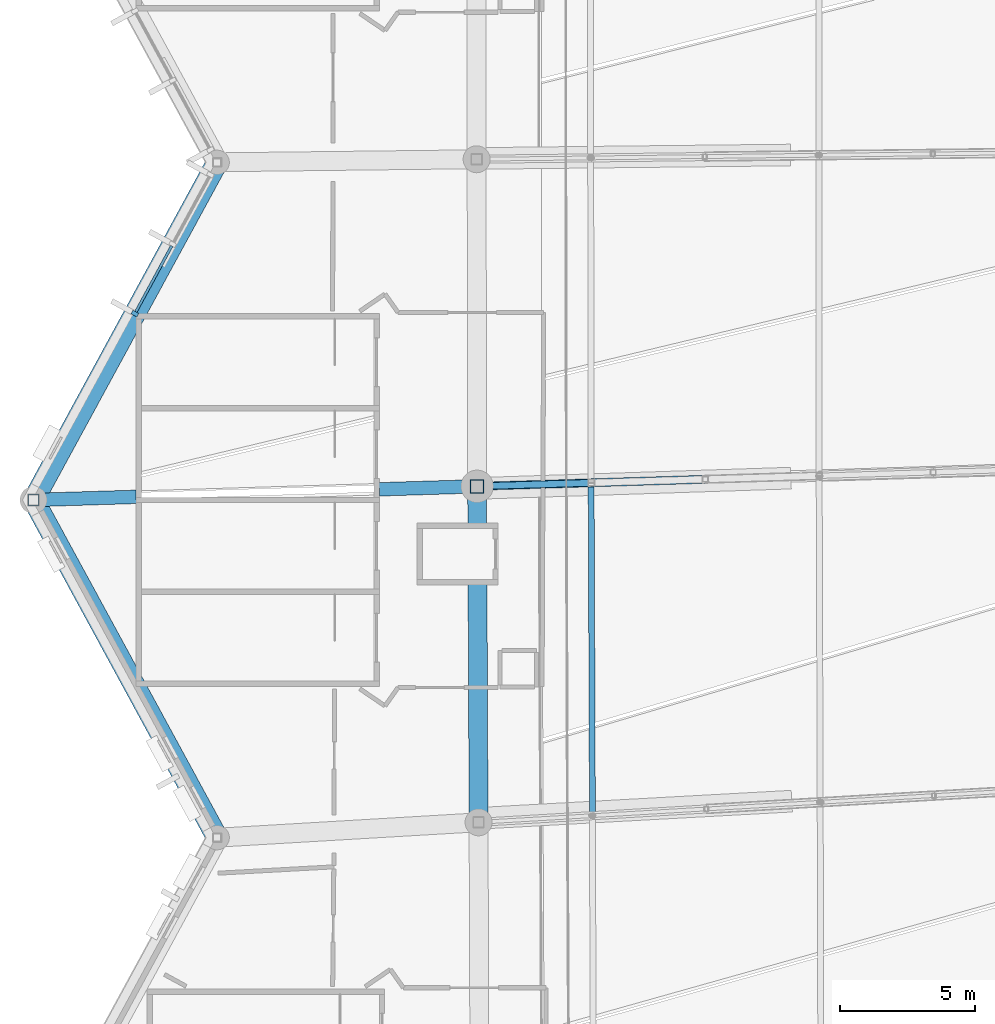
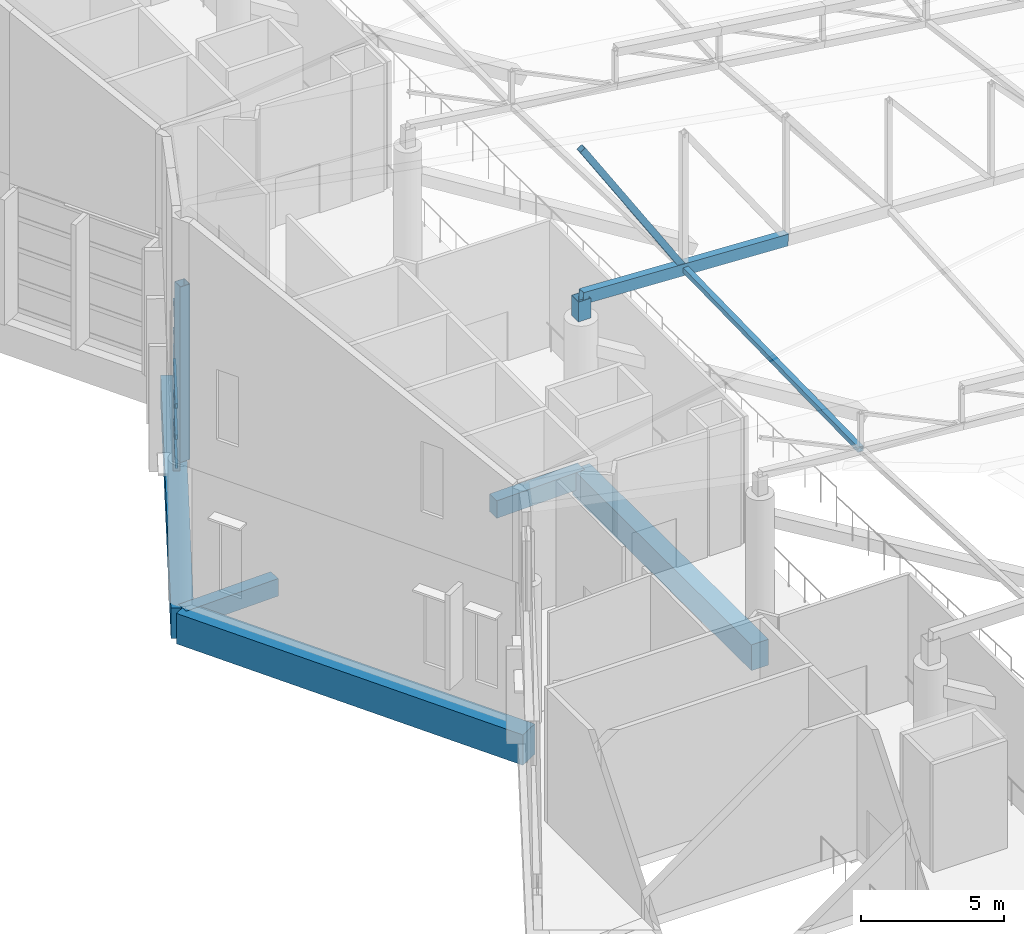
# One storey, part 51 of 344: 11 members, 5 beams, 1 element without a shape of its own.
"""IFC4 building model written with IfcOpenShell, lengths in metres."""

import ifcopenshell
import ifcopenshell.guid

model = None  # the IFC model being written
_history = None  # IfcOwnerHistory: only IFC2X3 demands one
_inside = {}  # id of a spatial element -> (the spatial element, [elements in it])
_under = {}  # id of a project, library or spatial element -> (it, [spatial elements below it])
_declared = {}  # id of a project -> (the project, [libraries it declares])
_typed = {}  # id of a type object -> (the type object, [elements of that type])
_made_of = {}  # id of a material, layer set ... -> (it, [elements and type objects made of it])


def new_model(schema):
    """Start an empty IFC model of exactly this schema.

    Asked for "IFC4X3", IfcOpenShell would pick the latest addendum, in which some entities
    have other attributes; the version numbers below select the first issue.
    IFC2X3 requires an IfcOwnerHistory on every rooted entity: one is made here for all.
    """
    global model, _history
    if schema == "IFC4X3":
        model = ifcopenshell.file(schema_version=(4, 3, 0, 0))
    else:
        model = ifcopenshell.file(schema=schema)
    _inside.clear()
    _under.clear()
    _declared.clear()
    _typed.clear()
    _made_of.clear()
    _history = None
    if model.schema == "IFC2X3":
        org = make("IfcOrganization", Name="unknown")
        user = make(
            "IfcPersonAndOrganization",
            ThePerson=make("IfcPerson", FamilyName="unknown"),
            TheOrganization=org,
        )
        app = make(
            "IfcApplication",
            ApplicationDeveloper=org,
            Version="unknown",
            ApplicationFullName="unknown",
            ApplicationIdentifier="unknown",
        )
        _history = make(
            "IfcOwnerHistory",
            OwningUser=user,
            OwningApplication=app,
            ChangeAction="ADDED",
            CreationDate=0,
        )
    return model


def make(cls, **values):
    """One entity of the class cls with the attributes given. An attribute that is None is left unset."""
    return model.create_entity(
        cls, **{name: value for name, value in values.items() if value is not None}
    )


def rooted(cls, **values):
    """An entity with a GlobalId (a new one), such as an element, a storey or a relation."""
    return make(cls, GlobalId=ifcopenshell.guid.new(), OwnerHistory=_history, **values)


def si_unit(unit_type, name, prefix=None):
    """IfcSIUnit, for example si_unit("LENGTHUNIT", "METRE", prefix="MILLI")."""
    return make("IfcSIUnit", UnitType=unit_type, Prefix=prefix, Name=name)


def assignment(units):
    """IfcUnitAssignment: the units of a project."""
    return None if units is None else make("IfcUnitAssignment", Units=units)


def point(xyz):
    """IfcCartesianPoint."""
    return None if xyz is None else make("IfcCartesianPoint", Coordinates=xyz)


def direction(xyz):
    """IfcDirection."""
    return None if xyz is None else make("IfcDirection", DirectionRatios=xyz)


def frame(location, z_axis=None, x_axis=None):
    """IfcAxis2Placement3D, a coordinate frame: its origin and axes. An axis left out is left unset."""
    return make(
        "IfcAxis2Placement3D",
        Location=point(location),
        Axis=direction(z_axis),
        RefDirection=direction(x_axis),
    )


def frame_2d(location, x_axis=None):
    """IfcAxis2Placement2D, a coordinate frame in the plane: its origin and x axis."""
    return make(
        "IfcAxis2Placement2D", Location=point(location), RefDirection=direction(x_axis)
    )


def origin():
    """The frame at (0, 0, 0) with its axes left unset."""
    return frame((0.0, 0.0, 0.0))


def origin_2d():
    """The frame at (0, 0) in the plane with its x axis left unset."""
    return frame_2d((0.0, 0.0))


def place(relative_to, where):
    """IfcLocalPlacement: puts the frame where relative to a parent placement (None: the world)."""
    return make(
        "IfcLocalPlacement", PlacementRelTo=relative_to, RelativePlacement=where
    )


def context(
    kind, dimensions, precision=None, world=None, true_north=None, identifier=None
):
    """IfcGeometricRepresentationContext, for example the 3D "Model" context."""
    return make(
        "IfcGeometricRepresentationContext",
        ContextIdentifier=identifier,
        ContextType=kind,
        CoordinateSpaceDimension=dimensions,
        Precision=precision,
        WorldCoordinateSystem=world,
        TrueNorth=true_north,
    )


def subcontext(parent, identifier, kind, view, scale=None):
    """IfcGeometricRepresentationSubContext, for example "Body" below "Model"."""
    return make(
        "IfcGeometricRepresentationSubContext",
        ContextIdentifier=identifier,
        ContextType=kind,
        ParentContext=parent,
        TargetScale=scale,
        TargetView=view,
    )


def project(units=None, contexts=None):
    """IfcProject with its units and contexts."""
    return rooted(
        "IfcProject",
        Name="project",
        RepresentationContexts=contexts,
        UnitsInContext=assignment(units),
    )


def spatial(cls, under=None, at=None, **own):
    """A site, building, storey or space (cls), placed at a placement, below another one or the project."""
    s = rooted(cls, ObjectPlacement=at, **own)
    if under is not None:
        _under.setdefault(under.id(), (under, []))[1].append(s)
    return s


def profile(cls, at=None, kind="AREA", **sizes):
    """A parametric profile (cls). Its sizes go by their IFC names, for example OverallWidth=200.0."""
    return make(cls, ProfileType=kind, Position=at, **sizes)


def rectangle(**sizes):
    """IfcRectangleProfileDef."""
    return profile("IfcRectangleProfileDef", **sizes)


def hollow_rectangle(**sizes):
    """IfcRectangleHollowProfileDef."""
    return profile("IfcRectangleHollowProfileDef", **sizes)


def extrude(swept, where, along, depth):
    """IfcExtrudedAreaSolid: the profile swept, set in the frame where, extruded along a direction by depth."""
    return make(
        "IfcExtrudedAreaSolid",
        SweptArea=swept,
        Position=where,
        ExtrudedDirection=direction(along),
        Depth=depth,
    )


def shape(context_of_items, identifier, shape_type, items):
    """IfcShapeRepresentation: the items that make up one representation, for example the "Body"."""
    return make(
        "IfcShapeRepresentation",
        ContextOfItems=context_of_items,
        RepresentationIdentifier=identifier,
        RepresentationType=shape_type,
        Items=items,
    )


def material(Name=None, Category=None):
    """IfcMaterial."""
    return make("IfcMaterial", Name=Name, Category=Category)


def layer(
    of_material, thickness, ventilated=None, Name=None, Category=None, Priority=None
):
    """IfcMaterialLayer: one layer of a wall or slab, of a material (None: an air gap)."""
    return make(
        "IfcMaterialLayer",
        Material=of_material,
        LayerThickness=thickness,
        IsVentilated=ventilated,
        Name=Name,
        Category=Category,
        Priority=Priority,
    )


def layer_set(layers, Name=None):
    """IfcMaterialLayerSet."""
    return make("IfcMaterialLayerSet", MaterialLayers=layers, LayerSetName=Name)


def material_profile(
    of_material, cross_section, Name=None, Category=None, Priority=None
):
    """IfcMaterialProfile: a cross section and its material."""
    return make(
        "IfcMaterialProfile",
        Name=Name,
        Material=of_material,
        Profile=cross_section,
        Priority=Priority,
        Category=Category,
    )


def profile_set(profiles, Name=None, composite=None):
    """IfcMaterialProfileSet."""
    return make(
        "IfcMaterialProfileSet",
        Name=Name,
        MaterialProfiles=profiles,
        CompositeProfile=composite,
    )


def made_of(thing, what):
    """Note that an element or type object is made of a material, layer set ...; save() writes the relation."""
    if what is not None:
        _made_of.setdefault(what.id(), (what, []))[1].append(thing)
    return thing


def type_object(cls, material=None, **own):
    """A type object (cls), such as IfcWallType, which elements share."""
    return made_of(rooted(cls, **own), material)


def element(
    cls,
    number,
    at=None,
    inside=None,
    cuts=None,
    type_object=None,
    material=None,
    context=None,
    identifier="Body",
    shape_type=None,
    held_by="IfcProductDefinitionShape",
    body=None,
    shapes=None,
    **own,
):
    """One element of the class cls, such as IfcWall. Its Tag is "e" and its number.

    at: its placement. inside: the storey or other place that contains it. cuts: it is an
    opening in that element (IfcRelVoidsElement). A single representation is given by context,
    identifier, shape_type and body (its items); several are given by shapes. held_by: the class
    of the entity that holds the representations. save() writes the other relations.
    """
    e = rooted(cls, Tag="e%d" % number, ObjectPlacement=at, **own)
    if body is not None:
        shapes = [shape(context, identifier, shape_type, body)]
    if shapes is not None:
        e.Representation = make(held_by, Representations=shapes)
    if inside is not None:
        _inside.setdefault(inside.id(), (inside, []))[1].append(e)
    if cuts is not None:
        rooted(
            "IfcRelVoidsElement", RelatingBuildingElement=cuts, RelatedOpeningElement=e
        )
    if type_object is not None:
        _typed.setdefault(type_object.id(), (type_object, []))[1].append(e)
    return made_of(e, material)


def aggregate(whole, parts):
    """IfcRelAggregates: a whole, such as a stair, and the parts it consists of."""
    return rooted("IfcRelAggregates", RelatingObject=whole, RelatedObjects=parts)


def save(model, path):
    """Write the relations noted so far, then the file.

    IfcRelAggregates (storeys below a building ...), IfcRelContainedInSpatialStructure (elements
    in a storey), IfcRelDefinesByType, IfcRelAssociatesMaterial and IfcRelDeclares: one each for
    every whole, place, type object, material and project.
    """
    for whole, parts in _under.values():
        aggregate(whole, parts)
    for where, things in _inside.values():
        rooted(
            "IfcRelContainedInSpatialStructure",
            RelatedElements=things,
            RelatingStructure=where,
        )
    for kind, things in _typed.values():
        rooted("IfcRelDefinesByType", RelatedObjects=things, RelatingType=kind)
    for what, things in _made_of.values():
        rooted("IfcRelAssociatesMaterial", RelatedObjects=things, RelatingMaterial=what)
    for by, libraries in _declared.values():
        rooted("IfcRelDeclares", RelatingContext=by, RelatedDefinitions=libraries)
    model.write(path)


model = new_model("IFC4")

# Units and contexts
model_context = context("Model", 3, precision=1e-05, world=origin(), true_north=direction((0.0, 1.0)))
body_context = subcontext(model_context, "Body", "Model", "MODEL_VIEW")
ifc_project = project(units=[si_unit("LENGTHUNIT", "METRE"), si_unit("AREAUNIT", "SQUARE_METRE"), si_unit("VOLUMEUNIT", "CUBIC_METRE"), si_unit("PLANEANGLEUNIT", "RADIAN"), si_unit("MASSUNIT", "GRAM", prefix="KILO")], contexts=[model_context])

# Site, building, storey
site_placement = place(None, origin())
site = spatial("IfcSite", under=ifc_project, at=site_placement, CompositionType="ELEMENT")
building_placement = place(site_placement, origin())
building = spatial("IfcBuilding", under=site, at=building_placement, Name="Meseta Stadium", CompositionType="ELEMENT")
storey_placement = place(building_placement, frame((0.0, 0.0, 24.0)))
storey = spatial("IfcBuildingStorey", under=building, at=storey_placement, Name="L04", CompositionType="ELEMENT", Elevation=24.0)

# Curtain wall, members
ifc_material_1 = material(Name="Steel S355", Category="steel")
ifc_layer = layer(ifc_material_1, 0.300048828125)
ifc_layer_set = layer_set([ifc_layer], Name="Valley atrium curtain wall")
curtain_wall_type = type_object("IfcCurtainWallType", Name="Valley atrium curtain wall", PredefinedType="NOTDEFINED", material=ifc_layer_set)
curtain_wall_placement = place(storey_placement, origin())
curtain_wall = element("IfcCurtainWall", 1, at=curtain_wall_placement, inside=storey, type_object=curtain_wall_type, Name="Valley atrium glazing F33", PredefinedType="NOTDEFINED")
ifc_material_2 = material(Name="Steel S355", Category="steel")
ifc_material_profile_1 = material_profile(ifc_material_2, rectangle(XDim=0.25, YDim=0.14990234375, at=origin_2d()), Name="CW 250x150")
ifc_profile_set_1 = profile_set([ifc_material_profile_1], Name="Steel S355")
member_type_1 = type_object("IfcMemberType", Name="CW mullion bar 250x150", PredefinedType="MULLION", material=ifc_profile_set_1)
member_1_placement = place(storey_placement, frame((-97.646240234375, -11.849853515625, 0.0), z_axis=(0.0, 0.0, 1.0), x_axis=(0.8784321511, -0.477867090218, 0.0)))
member_1 = element("IfcMember", 2, at=member_1_placement, type_object=member_type_1, Name="CWA mullion 3", PredefinedType="MULLION", context=body_context, shape_type="SweptSolid", body=[
    extrude(rectangle(XDim=0.25, YDim=0.14990234375, at=origin_2d()), origin(), (0.0, 0.0, 1.0), 5.35009765625),
])
ifc_material_3 = material(Name="Steel S355", Category="steel")
ifc_material_profile_2 = material_profile(ifc_material_3, hollow_rectangle(XDim=0.10009765625, YDim=0.199951171875, WallThickness=0.008056640625, at=origin_2d()), Name="RHS 200x100x8")
ifc_profile_set_2 = profile_set([ifc_material_profile_2], Name="Steel S355")
member_type_2 = type_object("IfcMemberType", Name="CW transom RHS 200x100x8", PredefinedType="USERDEFINED", material=ifc_profile_set_2)
member_2_placement = place(storey_placement, frame((-96.284423828125, -9.346435546875, 0.10009765625), z_axis=(-0.477914884213, -0.878406149482, 0.0), x_axis=(0.878406149482, -0.477914884213, 0.0)))
member_2 = element("IfcMember", 3, at=member_2_placement, type_object=member_type_2, Name="CWA transom 2.1", ObjectType="TRANSOM", PredefinedType="USERDEFINED", context=body_context, shape_type="SweptSolid", body=[
    extrude(hollow_rectangle(XDim=0.10009765625, YDim=0.199951171875, WallThickness=0.008056640625, at=origin_2d()), origin(), (0.0, 0.0, 1.0), 2.77490234375),
])
member_3_placement = place(storey_placement, frame((-96.284423828125, -9.346435546875, 1.33740234375), z_axis=(-0.477914884213, -0.878406149482, 0.0), x_axis=(0.878406149482, -0.477914884213, 0.0)))
member_3 = element("IfcMember", 4, at=member_3_placement, type_object=member_type_2, Name="CWA transom 2.2", ObjectType="TRANSOM", PredefinedType="USERDEFINED", context=body_context, shape_type="SweptSolid", body=[
    extrude(hollow_rectangle(XDim=0.10009765625, YDim=0.199951171875, WallThickness=0.008056640625, at=origin_2d()), origin(), (0.0, 0.0, 1.0), 2.77490234375),
])
member_4_placement = place(storey_placement, frame((-96.284423828125, -9.346435546875, 2.675048828125), z_axis=(-0.477914884213, -0.878406149482, 0.0), x_axis=(0.878406149482, -0.477914884213, 0.0)))
member_4 = element("IfcMember", 5, at=member_4_placement, type_object=member_type_2, Name="CWA transom 2.3", ObjectType="TRANSOM", PredefinedType="USERDEFINED", context=body_context, shape_type="SweptSolid", body=[
    extrude(hollow_rectangle(XDim=0.10009765625, YDim=0.199951171875, WallThickness=0.008056640625, at=origin_2d()), origin(), (0.0, 0.0, 1.0), 2.77490234375),
])
member_5_placement = place(storey_placement, frame((-96.284423828125, -9.346435546875, 4.012451171875), z_axis=(-0.477914884213, -0.878406149482, 0.0), x_axis=(0.878406149482, -0.477914884213, 0.0)))
member_5 = element("IfcMember", 6, at=member_5_placement, type_object=member_type_2, Name="CWA transom 2.4", ObjectType="TRANSOM", PredefinedType="USERDEFINED", context=body_context, shape_type="SweptSolid", body=[
    extrude(hollow_rectangle(XDim=0.10009765625, YDim=0.199951171875, WallThickness=0.008056640625, at=origin_2d()), origin(), (0.0, 0.0, 1.0), 2.77490234375),
])
member_6_placement = place(storey_placement, frame((-96.284423828125, -9.346435546875, 5.25), z_axis=(-0.477914884213, -0.878406149482, 0.0), x_axis=(0.878406149482, -0.477914884213, 0.0)))
member_6 = element("IfcMember", 7, at=member_6_placement, type_object=member_type_2, Name="CWA transom 2.5", ObjectType="TRANSOM", PredefinedType="USERDEFINED", context=body_context, shape_type="SweptSolid", body=[
    extrude(hollow_rectangle(XDim=0.10009765625, YDim=0.199951171875, WallThickness=0.008056640625, at=origin_2d()), origin(), (0.0, 0.0, 1.0), 2.77490234375),
])
aggregate(curtain_wall, [member_1, member_2, member_3, member_4, member_5, member_6])

# Beams
ifc_material_4 = material(Name="Concrete C40/50", Category="concrete")
ifc_material_profile_3 = material_profile(ifc_material_4, rectangle(XDim=0.5, YDim=0.75, at=origin_2d()), Name="RC 500x750")
ifc_profile_set_3 = profile_set([ifc_material_profile_3], Name="Concrete C40/50")
beam_type_1 = type_object("IfcBeamType", Name="RC beam 500x750", PredefinedType="BEAM", material=ifc_profile_set_3)
beam_1_placement = place(storey_placement, frame((-84.978515625, -18.24365234375, -0.77490234375), z_axis=(-0.999525783299, -0.030792994672, 0.0), x_axis=(0.030792994672, -0.999525783299, 0.0)))
element("IfcBeam", 8, at=beam_1_placement, inside=storey, type_object=beam_type_1, Name="L04 radial beam frame 34 line P to R", PredefinedType="BEAM", context=body_context, shape_type="SweptSolid", body=[
    extrude(rectangle(XDim=0.5, YDim=0.75, at=origin_2d()), origin(), (0.0, 0.0, 1.0), 3.623291015625),
])
beam_2_placement = place(storey_placement, frame((-97.60009765625, -18.6328125, -0.77490234375), z_axis=(-0.99952477381, -0.030825744759, 0.0), x_axis=(0.030825744759, -0.99952477381, 0.0)))
element("IfcBeam", 9, at=beam_2_placement, inside=storey, type_object=beam_type_1, Name="L04 radial beam frame 34 line P to R", PredefinedType="BEAM", context=body_context, shape_type="SweptSolid", body=[
    extrude(rectangle(XDim=0.5, YDim=0.75, at=origin_2d()), origin(), (0.0, 0.0, 1.0), 3.801513671875),
])
ifc_material_5 = material(Name="Concrete C40/50", Category="concrete")
ifc_material_profile_4 = material_profile(ifc_material_5, rectangle(XDim=0.699951171875, YDim=1.10009765625, at=origin_2d()), Name="RC 700x1100")
ifc_profile_set_4 = profile_set([ifc_material_profile_4], Name="Concrete C40/50")
beam_type_2 = type_object("IfcBeamType", Name="RC beam 700x1100", PredefinedType="BEAM", material=ifc_profile_set_4)
beam_3_placement = place(storey_placement, frame((-84.978515625, -18.24365234375, -0.949951171875), z_axis=(0.004279001378, -0.999990845032, 0.0), x_axis=(0.999990845032, 0.004279001378, 0.0)))
element("IfcBeam", 10, at=beam_3_placement, inside=storey, type_object=beam_type_2, Name="L04 ring beam frame 34 line P", PredefinedType="BEAM", context=body_context, shape_type="SweptSolid", body=[
    extrude(rectangle(XDim=0.699951171875, YDim=1.10009765625, at=origin_2d()), origin(), (0.0, 0.0, 1.0), 12.43798828125),
])
ifc_material_6 = material(Name="Concrete C40/50", Category="concrete")
ifc_material_profile_5 = material_profile(ifc_material_6, rectangle(XDim=0.800048828125, YDim=1.300048828125, at=origin_2d()), Name="RC 800x1300")
ifc_profile_set_5 = profile_set([ifc_material_profile_5], Name="Concrete C40/50")
beam_type_3 = type_object("IfcBeamType", Name="RC beam 800x1300", PredefinedType="BEAM", material=ifc_profile_set_5)
for number, where, z_axis, x_axis, name in (
    (11, (-94.60009765625, -6.25, -1.050048828125), (-0.47785649891, -0.878437912689, 0.0), (0.878437912689, -0.47785649891, 0.0), "L04 ring beam frame 33 line R"),
    (12, (-101.39990234375, -18.75, -1.050048828125), (0.47785649891, -0.878437912689, 0.0), (0.878437912689, 0.47785649891, 0.0), "L04 ring beam frame 34 line R"),
):
    element("IfcBeam", number, at=place(storey_placement, frame(where, z_axis=z_axis, x_axis=x_axis)), inside=storey, type_object=beam_type_3, Name=name, PredefinedType="BEAM", context=body_context, shape_type="SweptSolid", body=[
        extrude(rectangle(XDim=0.800048828125, YDim=1.300048828125, at=origin_2d()), origin(), (0.0, 0.0, 1.0), 14.229736328125),
    ])

# Members
ifc_material_7 = material(Name="Steel S355", Category="steel")
ifc_material_profile_6 = material_profile(ifc_material_7, hollow_rectangle(XDim=0.300048828125, YDim=0.5, WallThickness=0.01611328125, at=origin_2d()), Name="RHS 500x300x16")
ifc_profile_set_6 = profile_set([ifc_material_profile_6], Name="Steel S355")
member_type_3 = type_object("IfcMemberType", Name="RHS 500x300x16 bottom chord", PredefinedType="CHORD", material=ifc_profile_set_6)
member_7_placement = place(storey_placement, frame((-76.5380859375, -17.9833984375, 6.242431640625), z_axis=(-0.996938786822, -0.030739811025, 0.0718896331), x_axis=(0.030819553754, -0.999524964724, 0.0)))
element("IfcMember", 13, at=member_7_placement, inside=storey, type_object=member_type_3, Name="ROOF TRUSS RT-34 bottom chord", PredefinedType="CHORD", context=body_context, shape_type="SweptSolid", body=[
    extrude(hollow_rectangle(XDim=0.300048828125, YDim=0.5, WallThickness=0.01611328125, at=origin_2d()), origin(), (0.0, 0.0, 1.0), 8.46630859375),
])
ifc_material_8 = material(Name="Steel S355", Category="steel")
ifc_material_profile_7 = material_profile(ifc_material_8, hollow_rectangle(XDim=0.219970703125, YDim=0.219970703125, WallThickness=0.008056640625, at=origin_2d()), Name="SHS 220x220x8")
ifc_profile_set_7 = profile_set([ifc_material_profile_7], Name="Steel S355")
member_type_4 = type_object("IfcMemberType", Name="SHS 220x220x8 strut", PredefinedType="STRUT", material=ifc_profile_set_7)
member_8_placement = place(storey_placement, frame((-80.75830078125, -18.113525390625, 6.546630859375), z_axis=(0.003882544737, -0.999656225211, -0.025929852349), x_axis=(0.999992457824, 0.003883850624, 0.0)))
element("IfcMember", 14, at=member_8_placement, inside=storey, type_object=member_type_4, Name="ROOF TRUSS STRUT RT-34/35", PredefinedType="STRUT", context=body_context, shape_type="SweptSolid", body=[
    extrude(hollow_rectangle(XDim=0.219970703125, YDim=0.219970703125, WallThickness=0.008056640625, at=origin_2d()), origin(), (0.0, 0.0, 1.0), 12.32470703125),
])
ifc_material_9 = material(Name="Steel S355", Category="steel")
ifc_material_profile_8 = material_profile(ifc_material_9, hollow_rectangle(XDim=0.25, YDim=0.25, WallThickness=0.010009765625, at=origin_2d()), Name="SHS 250x250x10")
ifc_profile_set_8 = profile_set([ifc_material_profile_8], Name="Steel S355")
member_type_5 = type_object("IfcMemberType", Name="SHS 250x250x10 diagonal", PredefinedType="BRACE", material=ifc_profile_set_8)
member_9_placement = place(storey_placement, frame((-80.75830078125, -18.113525390625, 6.546630859375), z_axis=(-0.53646061603, -0.01654133451, 0.843763232016), x_axis=(0.030819553754, -0.999524964724, 0.0)))
element("IfcMember", 15, at=member_9_placement, inside=storey, type_object=member_type_5, Name="ROOF TRUSS RT-34 diagonal", PredefinedType="BRACE", context=body_context, shape_type="SweptSolid", body=[
    extrude(hollow_rectangle(XDim=0.25, YDim=0.25, WallThickness=0.010009765625, at=origin_2d()), origin(), (0.0, 0.0, 1.0), 7.86669921875),
])
ifc_material_10 = material(Name="Steel S355", Category="steel")
ifc_material_profile_9 = material_profile(ifc_material_10, hollow_rectangle(XDim=0.39990234375, YDim=0.39990234375, WallThickness=0.01416015625, at=origin_2d()), Name="SHS 400x400x14.2")
ifc_profile_set_9 = profile_set([ifc_material_profile_9], Name="Steel S355")
member_type_6 = type_object("IfcMemberType", Name="SHS 400x400x14.2 rim post", PredefinedType="POST", material=ifc_profile_set_9)
member_10_placement = place(storey_placement, frame((-101.39990234375, -18.75, 6.0), z_axis=(0.0, 0.0, 1.0), x_axis=(1.0, 0.0, 0.0)))
element("IfcMember", 16, at=member_10_placement, inside=storey, type_object=member_type_6, Name="ROOF RIM POST RT-34", PredefinedType="POST", context=body_context, shape_type="SweptSolid", body=[
    extrude(hollow_rectangle(XDim=0.39990234375, YDim=0.39990234375, WallThickness=0.01416015625, at=origin_2d()), origin(), (0.0, 0.0, 1.0), 7.501220703125),
])
ifc_material_11 = material(Name="Steel S355", Category="steel")
ifc_material_profile_10 = material_profile(ifc_material_11, hollow_rectangle(XDim=0.5, YDim=0.5, WallThickness=0.01611328125, at=origin_2d()), Name="SHS 500x500x16")
ifc_profile_set_10 = profile_set([ifc_material_profile_10], Name="Steel S355")
member_type_7 = type_object("IfcMemberType", Name="SHS 500x500x16 pedestal", PredefinedType="POST", material=ifc_profile_set_10)
member_11_placement = place(storey_placement, frame((-84.978515625, -18.24365234375, 6.0), z_axis=(0.0, 0.0, 1.0), x_axis=(1.0, 0.0, 0.0)))
element("IfcMember", 17, at=member_11_placement, inside=storey, type_object=member_type_7, Name="ROOF TRUSS RT-34 pedestal", PredefinedType="POST", context=body_context, shape_type="SweptSolid", body=[
    extrude(hollow_rectangle(XDim=0.5, YDim=0.5, WallThickness=0.01611328125, at=origin_2d()), origin(), (0.0, 0.0, 1.0), 0.85107421875),
])

save(model, "model.ifc")
